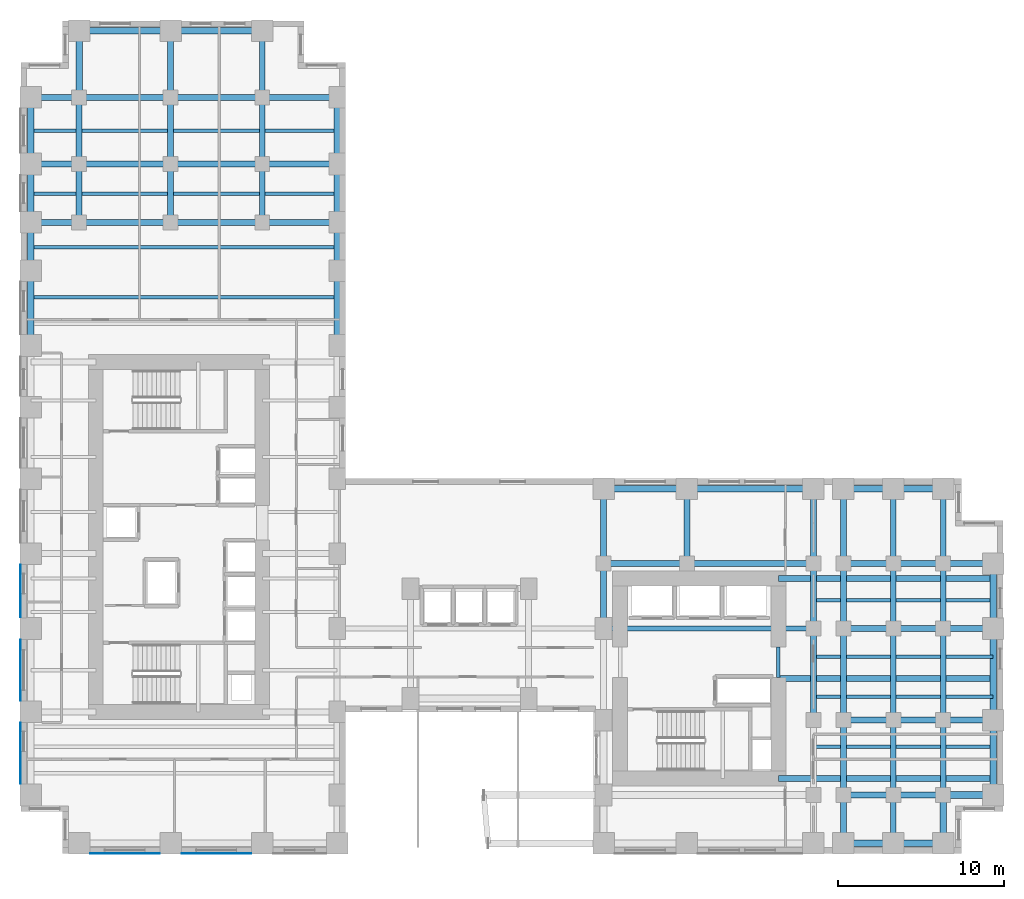
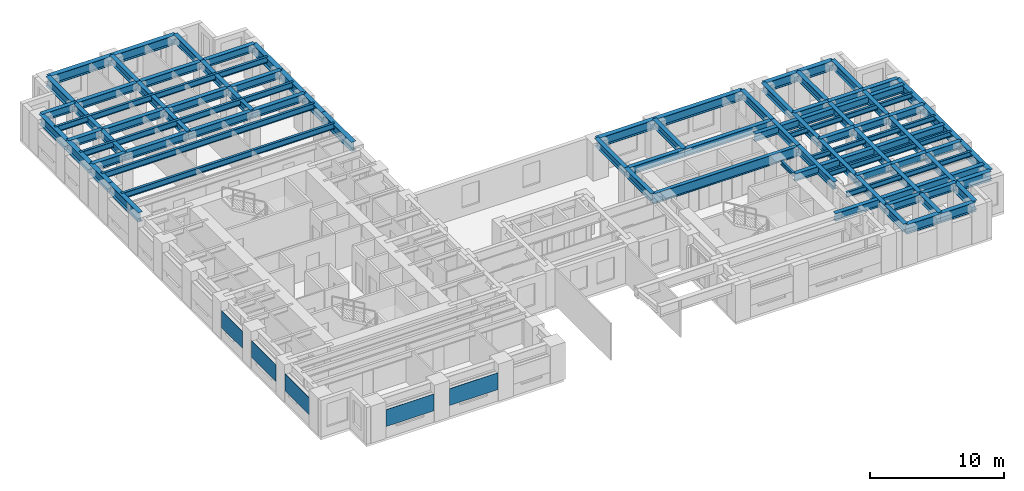
# One storey, part 4 of 14: 88 beams, 5 plates.
"""IFC4 building model written with IfcOpenShell, lengths in metres."""

from ifc_helpers import new_model, si_unit, direction, frame, origin, origin_2d, place, context, subcontext, project, spatial, rectangle, i_section, extrude, source, transform, mapped, material, layer, layer_set, material_profile, profile_set, type_object, element, save


model = new_model("IFC4")

# Units and contexts
model_context = context("Model", 3, precision=1e-05, world=origin(), true_north=direction((0.0, 1.0)))
body_context = subcontext(model_context, "Body", "Model", "MODEL_VIEW")
ifc_project = project(units=[si_unit("LENGTHUNIT", "METRE"), si_unit("AREAUNIT", "SQUARE_METRE"), si_unit("VOLUMEUNIT", "CUBIC_METRE"), si_unit("PLANEANGLEUNIT", "RADIAN"), si_unit("MASSUNIT", "GRAM", prefix="KILO")], contexts=[model_context])

# Site, building, storey
site_placement = place(None, origin())
site = spatial("IfcSite", under=ifc_project, at=site_placement, CompositionType="ELEMENT")
building_placement = place(site_placement, origin())
building = spatial("IfcBuilding", under=site, at=building_placement, Name="Kharzan Plaza Tower", CompositionType="ELEMENT")
storey_placement = place(building_placement, frame((0.0, 0.0, 58.5)))
storey = spatial("IfcBuildingStorey", under=building, at=storey_placement, Name="L15", CompositionType="ELEMENT", Elevation=58.5)

# Beams
ifc_material_1 = material(Name="Steel S355", Category="steel")
ifc_material_profile_1 = material_profile(ifc_material_1, i_section(OverallWidth=0.205078125, OverallDepth=0.35400390625, WebThickness=0.009521484375, FlangeThickness=0.016845703125, at=origin_2d()), Name="W360x79")
ifc_profile_set_1 = profile_set([ifc_material_profile_1], Name="Steel S355")
beam_type_1 = type_object("IfcBeamType", Name="BM-LNT360", PredefinedType="LINTEL", material=ifc_profile_set_1)
shared_shape_1 = source(origin(), body_context, "Body", "SweptSolid", [
    extrude(i_section(OverallWidth=0.205078125, OverallDepth=0.35400390625, WebThickness=0.009521484375, FlangeThickness=0.016845703125, at=origin_2d()), origin(), (0.0, 0.0, 1.0), 1.849853515625),
])
beam_1_placement = place(storey_placement, frame((45.5, 10.550048828125, 3.202880859375), z_axis=(0.0, 1.0, 0.0), x_axis=(-1.0, 0.0, 0.0)))
element("IfcBeam", 1, at=beam_1_placement, inside=storey, type_object=beam_type_1, Name="L15 CORE-B coupling lintel LN1-WE", PredefinedType="LINTEL", context=body_context, shape_type="MappedRepresentation", body=[
    mapped(shared_shape_1, transform((0.0, 0.0, 0.0), x_axis=(1.0, 0.0, 0.0), y_axis=(0.0, 1.0, 0.0), z_axis=(0.0, 0.0, 1.0))),
])
ifc_material_profile_2 = material_profile(ifc_material_1, i_section(OverallWidth=0.304931640625, OverallDepth=0.9189453125, WebThickness=0.017333984375, FlangeThickness=0.02783203125, at=origin_2d()), Name="W920x253")
ifc_profile_set_2 = profile_set([ifc_material_profile_2], Name="Steel S355")
beam_type_2 = type_object("IfcBeamType", Name="BM-FG920B", PredefinedType="BEAM", material=ifc_profile_set_2)
shared_shape_2 = source(origin(), body_context, "Body", "SweptSolid", [
    extrude(i_section(OverallWidth=0.304931640625, OverallDepth=0.9189453125, WebThickness=0.017333984375, FlangeThickness=0.02783203125, at=origin_2d()), origin(), (0.0, 0.0, 1.0), 12.60009765625),
])
beam_2_placement = place(storey_placement, frame((35.0, 13.5, 2.92041015625), z_axis=(1.0, 0.0, 0.0), x_axis=(0.0, 1.0, 0.0)))
element("IfcBeam", 2, at=beam_2_placement, inside=storey, type_object=beam_type_2, Name="L15 Primary Floor Girder", PredefinedType="BEAM", context=body_context, shape_type="MappedRepresentation", body=[
    mapped(shared_shape_2, transform((0.0, 0.0, 0.0), x_axis=(1.0, 0.0, 0.0), y_axis=(0.0, 1.0, 0.0), z_axis=(0.0, 0.0, 1.0))),
])
ifc_material_profile_3 = material_profile(ifc_material_1, i_section(OverallWidth=0.35498046875, OverallDepth=0.695068359375, WebThickness=0.015380859375, FlangeThickness=0.02490234375, at=origin_2d()), Name="W690x217")
ifc_profile_set_3 = profile_set([ifc_material_profile_3], Name="Steel S355")
beam_type_3 = type_object("IfcBeamType", Name="BM-FG690A", PredefinedType="BEAM", material=ifc_profile_set_3)
shared_shape_3 = source(origin(), body_context, "Body", "SweptSolid", [
    extrude(i_section(OverallWidth=0.35498046875, OverallDepth=0.695068359375, WebThickness=0.015380859375, FlangeThickness=0.02490234375, at=origin_2d()), origin(), (0.0, 0.0, 1.0), 4.5),
])
for number, where, z_axis, x_axis, name in (
    (3, (35.0, 17.39990234375, 3.032470703125), (0.0, 1.0, 0.0), (-1.0, 0.0, 0.0), "L15 Interior Frame Girder"),
    (4, (40.0, 17.39990234375, 3.032470703125), (0.0, 1.0, 0.0), (-1.0, 0.0, 0.0), "L15 Interior Frame Girder"),
    (5, (47.60009765625, 17.39990234375, 3.032470703125), (0.0, 1.0, 0.0), (-1.0, 0.0, 0.0), "L15 Interior Frame Girder"),
    (6, (49.39990234375, 3.5, 3.032470703125), (0.0, 1.0, 0.0), (-1.0, 0.0, 0.0), "L15 Interior Frame Girder"),
    (7, (49.39990234375, 17.39990234375, 3.032470703125), (0.0, 1.0, 0.0), (-1.0, 0.0, 0.0), "L15 Interior Frame Girder"),
    (8, (52.39990234375, 3.5, 3.032470703125), (0.0, 1.0, 0.0), (-1.0, 0.0, 0.0), "L15 Interior Frame Girder"),
    (9, (52.39990234375, 17.39990234375, 3.032470703125), (0.0, 1.0, 0.0), (-1.0, 0.0, 0.0), "L15 Interior Frame Girder"),
    (10, (55.39990234375, 3.5, 3.032470703125), (0.0, 1.0, 0.0), (-1.0, 0.0, 0.0), "L15 Interior Frame Girder"),
    (11, (55.39990234375, 17.39990234375, 3.032470703125), (0.0, 1.0, 0.0), (-1.0, 0.0, 0.0), "L15 Interior Frame Girder"),
    (12, (14.5, 41.39990234375, 3.032470703125), (1.0, 0.0, 0.0), (0.0, 1.0, 0.0), "L15 Primary Floor Girder"),
    (13, (14.5, 45.39990234375, 3.032470703125), (1.0, 0.0, 0.0), (0.0, 1.0, 0.0), "L15 Primary Floor Girder"),
    (14, (14.5, 37.89990234375, 3.032470703125), (1.0, 0.0, 0.0), (0.0, 1.0, 0.0), "L15 Primary Floor Girder"),
):
    element("IfcBeam", number, at=place(storey_placement, frame(where, z_axis=z_axis, x_axis=x_axis)), inside=storey, type_object=beam_type_3, Name=name, PredefinedType="BEAM", context=body_context, shape_type="MappedRepresentation", body=[
        mapped(shared_shape_3, transform((0.0, 0.0, 0.0), x_axis=(1.0, 0.0, 0.0), y_axis=(0.0, 1.0, 0.0), z_axis=(0.0, 0.0, 1.0))),
    ])
shared_shape_4 = source(origin(), body_context, "Body", "SweptSolid", [
    extrude(i_section(OverallWidth=0.35498046875, OverallDepth=0.695068359375, WebThickness=0.015380859375, FlangeThickness=0.02490234375, at=origin_2d()), origin(), (0.0, 0.0, 1.0), 3.89990234375),
])
for number, where, z_axis, x_axis, name in (
    (15, (35.0, 13.5, 3.032470703125), (0.0, 1.0, 0.0), (-1.0, 0.0, 0.0), "L15 Interior Frame Girder"),
    (16, (47.60009765625, 13.5, 3.032470703125), (0.0, 1.0, 0.0), (-1.0, 0.0, 0.0), "L15 Interior Frame Girder"),
    (17, (49.39990234375, 13.5, 3.032470703125), (0.0, 1.0, 0.0), (-1.0, 0.0, 0.0), "L15 Interior Frame Girder"),
    (18, (52.39990234375, 13.5, 3.032470703125), (0.0, 1.0, 0.0), (-1.0, 0.0, 0.0), "L15 Interior Frame Girder"),
    (19, (55.39990234375, 13.5, 3.032470703125), (0.0, 1.0, 0.0), (-1.0, 0.0, 0.0), "L15 Interior Frame Girder"),
):
    element("IfcBeam", number, at=place(storey_placement, frame(where, z_axis=z_axis, x_axis=x_axis)), inside=storey, type_object=beam_type_3, Name=name, PredefinedType="BEAM", context=body_context, shape_type="MappedRepresentation", body=[
        mapped(shared_shape_4, transform((0.0, 0.0, 0.0), x_axis=(1.0, 0.0, 0.0), y_axis=(0.0, 1.0, 0.0), z_axis=(0.0, 0.0, 1.0))),
    ])
shared_shape_5 = source(origin(), body_context, "Body", "SweptSolid", [
    extrude(i_section(OverallWidth=0.35498046875, OverallDepth=0.695068359375, WebThickness=0.015380859375, FlangeThickness=0.02490234375, at=origin_2d()), origin(), (0.0, 0.0, 1.0), 12.89990234375),
])
for number, where, z_axis, x_axis, name in (
    (20, (45.5, 4.5, 3.032470703125), (1.0, 0.0, 0.0), (0.0, 1.0, 0.0), "L15 Core-B East Floor Girder 1"),
    (21, (45.5, 10.5, 3.032470703125), (1.0, 0.0, 0.0), (0.0, 1.0, 0.0), "L15 Core-B East Floor Girder 2"),
    (22, (45.5, 16.5, 3.032470703125), (1.0, 0.0, 0.0), (0.0, 1.0, 0.0), "L15 Core-B East Floor Girder 3"),
):
    element("IfcBeam", number, at=place(storey_placement, frame(where, z_axis=z_axis, x_axis=x_axis)), inside=storey, type_object=beam_type_3, Name=name, PredefinedType="BEAM", context=body_context, shape_type="MappedRepresentation", body=[
        mapped(shared_shape_5, transform((0.0, 0.0, 0.0), x_axis=(1.0, 0.0, 0.0), y_axis=(0.0, 1.0, 0.0), z_axis=(0.0, 0.0, 1.0))),
    ])
shared_shape_6 = source(origin(), body_context, "Body", "SweptSolid", [
    extrude(i_section(OverallWidth=0.35498046875, OverallDepth=0.695068359375, WebThickness=0.015380859375, FlangeThickness=0.02490234375, at=origin_2d()), origin(), (0.0, 0.0, 1.0), 3.5),
])
for number, where, z_axis, x_axis, name in (
    (23, (3.5, 37.89990234375, 3.032470703125), (0.0, 1.0, 0.0), (-1.0, 0.0, 0.0), "L15 Interior Frame Girder"),
    (24, (9.0, 37.89990234375, 3.032470703125), (0.0, 1.0, 0.0), (-1.0, 0.0, 0.0), "L15 Interior Frame Girder"),
    (25, (14.5, 37.89990234375, 3.032470703125), (0.0, 1.0, 0.0), (-1.0, 0.0, 0.0), "L15 Interior Frame Girder"),
):
    element("IfcBeam", number, at=place(storey_placement, frame(where, z_axis=z_axis, x_axis=x_axis)), inside=storey, type_object=beam_type_3, Name=name, PredefinedType="BEAM", context=body_context, shape_type="MappedRepresentation", body=[
        mapped(shared_shape_6, transform((0.0, 0.0, 0.0), x_axis=(1.0, 0.0, 0.0), y_axis=(0.0, 1.0, 0.0), z_axis=(0.0, 0.0, 1.0))),
    ])
shared_shape_7 = source(origin(), body_context, "Body", "SweptSolid", [
    extrude(i_section(OverallWidth=0.35498046875, OverallDepth=0.695068359375, WebThickness=0.015380859375, FlangeThickness=0.02490234375, at=origin_2d()), origin(), (0.0, 0.0, 1.0), 4.0),
])
for number, where, z_axis, x_axis, name in (
    (26, (3.5, 41.39990234375, 3.032470703125), (0.0, 1.0, 0.0), (-1.0, 0.0, 0.0), "L15 Interior Frame Girder"),
    (27, (9.0, 41.39990234375, 3.032470703125), (0.0, 1.0, 0.0), (-1.0, 0.0, 0.0), "L15 Interior Frame Girder"),
    (28, (9.0, 45.39990234375, 3.032470703125), (0.0, 1.0, 0.0), (-1.0, 0.0, 0.0), "L15 Interior Frame Girder"),
    (29, (14.5, 41.39990234375, 3.032470703125), (0.0, 1.0, 0.0), (-1.0, 0.0, 0.0), "L15 Interior Frame Girder"),
    (30, (14.5, 45.39990234375, 3.032470703125), (0.0, 1.0, 0.0), (-1.0, 0.0, 0.0), "L15 Interior Frame Girder"),
):
    element("IfcBeam", number, at=place(storey_placement, frame(where, z_axis=z_axis, x_axis=x_axis)), inside=storey, type_object=beam_type_3, Name=name, PredefinedType="BEAM", context=body_context, shape_type="MappedRepresentation", body=[
        mapped(shared_shape_7, transform((0.0, 0.0, 0.0), x_axis=(1.0, 0.0, 0.0), y_axis=(0.0, 1.0, 0.0), z_axis=(0.0, 0.0, 1.0))),
    ])
shared_shape_8 = source(origin(), body_context, "Body", "SweptSolid", [
    extrude(i_section(OverallWidth=0.35498046875, OverallDepth=0.695068359375, WebThickness=0.015380859375, FlangeThickness=0.02490234375, at=origin_2d()), origin(), (0.0, 0.0, 1.0), 5.0),
])
beam_3_placement = place(storey_placement, frame((35.0, 17.39990234375, 3.032470703125), z_axis=(1.0, 0.0, 0.0), x_axis=(0.0, 1.0, 0.0)))
element("IfcBeam", 31, at=beam_3_placement, inside=storey, type_object=beam_type_3, Name="L15 Primary Floor Girder", PredefinedType="BEAM", context=body_context, shape_type="MappedRepresentation", body=[
    mapped(shared_shape_8, transform((0.0, 0.0, 0.0), x_axis=(1.0, 0.0, 0.0), y_axis=(0.0, 1.0, 0.0), z_axis=(0.0, 0.0, 1.0))),
])
shared_shape_9 = source(origin(), body_context, "Body", "SweptSolid", [
    extrude(i_section(OverallWidth=0.35498046875, OverallDepth=0.695068359375, WebThickness=0.015380859375, FlangeThickness=0.02490234375, at=origin_2d()), origin(), (0.0, 0.0, 1.0), 5.5),
])
for number, where, z_axis, x_axis, name in (
    (32, (47.60009765625, 8.0, 3.032470703125), (0.0, 1.0, 0.0), (-1.0, 0.0, 0.0), "L15 Interior Frame Girder"),
    (33, (49.39990234375, 8.0, 3.032470703125), (0.0, 1.0, 0.0), (-1.0, 0.0, 0.0), "L15 Interior Frame Girder"),
    (34, (52.39990234375, 8.0, 3.032470703125), (0.0, 1.0, 0.0), (-1.0, 0.0, 0.0), "L15 Interior Frame Girder"),
    (35, (55.39990234375, 8.0, 3.032470703125), (0.0, 1.0, 0.0), (-1.0, 0.0, 0.0), "L15 Interior Frame Girder"),
    (36, (3.5, 45.39990234375, 3.032470703125), (1.0, 0.0, 0.0), (0.0, 1.0, 0.0), "L15 Primary Floor Girder"),
    (37, (9.0, 45.39990234375, 3.032470703125), (1.0, 0.0, 0.0), (0.0, 1.0, 0.0), "L15 Primary Floor Girder"),
    (38, (3.5, 37.89990234375, 3.032470703125), (1.0, 0.0, 0.0), (0.0, 1.0, 0.0), "L15 Primary Floor Girder"),
    (39, (9.0, 37.89990234375, 3.032470703125), (1.0, 0.0, 0.0), (0.0, 1.0, 0.0), "L15 Primary Floor Girder"),
    (40, (3.5, 41.39990234375, 3.032470703125), (1.0, 0.0, 0.0), (0.0, 1.0, 0.0), "L15 Primary Floor Girder"),
    (41, (9.0, 41.39990234375, 3.032470703125), (1.0, 0.0, 0.0), (0.0, 1.0, 0.0), "L15 Primary Floor Girder"),
):
    element("IfcBeam", number, at=place(storey_placement, frame(where, z_axis=z_axis, x_axis=x_axis)), inside=storey, type_object=beam_type_3, Name=name, PredefinedType="BEAM", context=body_context, shape_type="MappedRepresentation", body=[
        mapped(shared_shape_9, transform((0.0, 0.0, 0.0), x_axis=(1.0, 0.0, 0.0), y_axis=(0.0, 1.0, 0.0), z_axis=(0.0, 0.0, 1.0))),
    ])
shared_shape_10 = source(origin(), body_context, "Body", "SweptSolid", [
    extrude(i_section(OverallWidth=0.35498046875, OverallDepth=0.695068359375, WebThickness=0.015380859375, FlangeThickness=0.02490234375, at=origin_2d()), origin(), (0.0, 0.0, 1.0), 2.89990234375),
])
for number, where, z_axis, x_axis, name in (
    (42, (49.39990234375, 0.60009765625, 3.032470703125), (0.0, 1.0, 0.0), (-1.0, 0.0, 0.0), "L15 Interior Frame Girder"),
    (43, (52.39990234375, 0.60009765625, 3.032470703125), (0.0, 1.0, 0.0), (-1.0, 0.0, 0.0), "L15 Interior Frame Girder"),
    (44, (0.60009765625, 45.39990234375, 3.032470703125), (1.0, 0.0, 0.0), (0.0, 1.0, 0.0), "L15 Primary Floor Girder"),
    (45, (0.60009765625, 37.89990234375, 3.032470703125), (1.0, 0.0, 0.0), (0.0, 1.0, 0.0), "L15 Primary Floor Girder"),
    (46, (0.60009765625, 41.39990234375, 3.032470703125), (1.0, 0.0, 0.0), (0.0, 1.0, 0.0), "L15 Primary Floor Girder"),
):
    element("IfcBeam", number, at=place(storey_placement, frame(where, z_axis=z_axis, x_axis=x_axis)), inside=storey, type_object=beam_type_3, Name=name, PredefinedType="BEAM", context=body_context, shape_type="MappedRepresentation", body=[
        mapped(shared_shape_10, transform((0.0, 0.0, 0.0), x_axis=(1.0, 0.0, 0.0), y_axis=(0.0, 1.0, 0.0), z_axis=(0.0, 0.0, 1.0))),
    ])
shared_shape_11 = source(origin(), body_context, "Body", "SweptSolid", [
    extrude(i_section(OverallWidth=0.35498046875, OverallDepth=0.695068359375, WebThickness=0.015380859375, FlangeThickness=0.02490234375, at=origin_2d()), origin(), (0.0, 0.0, 1.0), 3.0),
])
for number, where, z_axis, x_axis, name in (
    (47, (49.39990234375, 3.5, 3.032470703125), (1.0, 0.0, 0.0), (0.0, 1.0, 0.0), "L15 Primary Floor Girder"),
    (48, (52.39990234375, 3.5, 3.032470703125), (1.0, 0.0, 0.0), (0.0, 1.0, 0.0), "L15 Primary Floor Girder"),
    (49, (49.39990234375, 8.0, 3.032470703125), (1.0, 0.0, 0.0), (0.0, 1.0, 0.0), "L15 Primary Floor Girder"),
    (50, (52.39990234375, 8.0, 3.032470703125), (1.0, 0.0, 0.0), (0.0, 1.0, 0.0), "L15 Primary Floor Girder"),
    (51, (55.39990234375, 8.0, 3.032470703125), (1.0, 0.0, 0.0), (0.0, 1.0, 0.0), "L15 Primary Floor Girder"),
    (52, (49.39990234375, 13.5, 3.032470703125), (1.0, 0.0, 0.0), (0.0, 1.0, 0.0), "L15 Primary Floor Girder"),
    (53, (52.39990234375, 13.5, 3.032470703125), (1.0, 0.0, 0.0), (0.0, 1.0, 0.0), "L15 Primary Floor Girder"),
    (54, (55.39990234375, 13.5, 3.032470703125), (1.0, 0.0, 0.0), (0.0, 1.0, 0.0), "L15 Primary Floor Girder"),
    (55, (49.39990234375, 17.39990234375, 3.032470703125), (1.0, 0.0, 0.0), (0.0, 1.0, 0.0), "L15 Primary Floor Girder"),
    (56, (52.39990234375, 17.39990234375, 3.032470703125), (1.0, 0.0, 0.0), (0.0, 1.0, 0.0), "L15 Primary Floor Girder"),
    (57, (55.39990234375, 17.39990234375, 3.032470703125), (1.0, 0.0, 0.0), (0.0, 1.0, 0.0), "L15 Primary Floor Girder"),
):
    element("IfcBeam", number, at=place(storey_placement, frame(where, z_axis=z_axis, x_axis=x_axis)), inside=storey, type_object=beam_type_3, Name=name, PredefinedType="BEAM", context=body_context, shape_type="MappedRepresentation", body=[
        mapped(shared_shape_11, transform((0.0, 0.0, 0.0), x_axis=(1.0, 0.0, 0.0), y_axis=(0.0, 1.0, 0.0), z_axis=(0.0, 0.0, 1.0))),
    ])
shared_shape_12 = source(origin(), body_context, "Body", "SweptSolid", [
    extrude(i_section(OverallWidth=0.35498046875, OverallDepth=0.695068359375, WebThickness=0.015380859375, FlangeThickness=0.02490234375, at=origin_2d()), origin(), (0.0, 0.0, 1.0), 7.60009765625),
])
beam_4_placement = place(storey_placement, frame((40.0, 17.39990234375, 3.032470703125), z_axis=(1.0, 0.0, 0.0), x_axis=(0.0, 1.0, 0.0)))
element("IfcBeam", 58, at=beam_4_placement, inside=storey, type_object=beam_type_3, Name="L15 Primary Floor Girder", PredefinedType="BEAM", context=body_context, shape_type="MappedRepresentation", body=[
    mapped(shared_shape_12, transform((0.0, 0.0, 0.0), x_axis=(1.0, 0.0, 0.0), y_axis=(0.0, 1.0, 0.0), z_axis=(0.0, 0.0, 1.0))),
])
ifc_material_profile_4 = material_profile(ifc_material_1, i_section(OverallWidth=0.2099609375, OverallDepth=0.537109375, WebThickness=0.010986328125, FlangeThickness=0.017333984375, at=origin_2d()), Name="W530x101")
ifc_profile_set_4 = profile_set([ifc_material_profile_4], Name="Steel S355")
beam_type_4 = type_object("IfcBeamType", Name="BM-JST530B", PredefinedType="JOIST", material=ifc_profile_set_4)
shared_shape_13 = source(origin(), body_context, "Body", "SweptSolid", [
    extrude(i_section(OverallWidth=0.2099609375, OverallDepth=0.537109375, WebThickness=0.010986328125, FlangeThickness=0.017333984375, at=origin_2d()), origin(), (0.0, 0.0, 1.0), 18.39990234375),
])
for number, where, z_axis, x_axis, name in (
    (59, (0.60009765625, 33.39990234375, 3.111572265625), (1.0, 0.0, 0.0), (0.0, 1.0, 0.0), "L15 Wing A Composite Joist 05"),
    (60, (0.60009765625, 36.39990234375, 3.111572265625), (1.0, 0.0, 0.0), (0.0, 1.0, 0.0), "L15 Wing A Composite Joist 06"),
    (61, (0.60009765625, 39.60009765625, 3.111572265625), (1.0, 0.0, 0.0), (0.0, 1.0, 0.0), "L15 Wing A Composite Joist 07"),
    (62, (0.60009765625, 43.39990234375, 3.111572265625), (1.0, 0.0, 0.0), (0.0, 1.0, 0.0), "L15 Wing A Composite Joist 08"),
):
    element("IfcBeam", number, at=place(storey_placement, frame(where, z_axis=z_axis, x_axis=x_axis)), inside=storey, type_object=beam_type_4, Name=name, PredefinedType="JOIST", context=body_context, shape_type="MappedRepresentation", body=[
        mapped(shared_shape_13, transform((0.0, 0.0, 0.0), x_axis=(1.0, 0.0, 0.0), y_axis=(0.0, 1.0, 0.0), z_axis=(0.0, 0.0, 1.0))),
    ])
ifc_material_profile_5 = material_profile(ifc_material_1, i_section(OverallWidth=0.194091796875, OverallDepth=0.468994140625, WebThickness=0.011474609375, FlangeThickness=0.0205078125, at=origin_2d()), Name="W460x106")
ifc_profile_set_5 = profile_set([ifc_material_profile_5], Name="Steel S355")
beam_type_5 = type_object("IfcBeamType", Name="BM-JST460", PredefinedType="JOIST", material=ifc_profile_set_5)
shared_shape_14 = source(origin(), body_context, "Body", "SweptSolid", [
    extrude(i_section(OverallWidth=0.194091796875, OverallDepth=0.468994140625, WebThickness=0.011474609375, FlangeThickness=0.0205078125, at=origin_2d()), origin(), (0.0, 0.0, 1.0), 10.7998046875),
])
for number, where, z_axis, x_axis, name in (
    (63, (47.60009765625, 6.39990234375, 3.1455078125), (1.0, 0.0, 0.0), (0.0, 1.0, 0.0), "L15 Wing B Composite Joist 02"),
    (64, (47.60009765625, 9.39990234375, 3.1455078125), (1.0, 0.0, 0.0), (0.0, 1.0, 0.0), "L15 Wing B Composite Joist 03"),
    (65, (47.60009765625, 11.800048828125, 3.1455078125), (1.0, 0.0, 0.0), (0.0, 1.0, 0.0), "L15 Wing B Composite Joist 04"),
    (66, (47.60009765625, 15.199951171875, 3.1455078125), (1.0, 0.0, 0.0), (0.0, 1.0, 0.0), "L15 Wing B Composite Joist 05"),
):
    element("IfcBeam", number, at=place(storey_placement, frame(where, z_axis=z_axis, x_axis=x_axis)), inside=storey, type_object=beam_type_5, Name=name, PredefinedType="JOIST", context=body_context, shape_type="MappedRepresentation", body=[
        mapped(shared_shape_14, transform((0.0, 0.0, 0.0), x_axis=(1.0, 0.0, 0.0), y_axis=(0.0, 1.0, 0.0), z_axis=(0.0, 0.0, 1.0))),
    ])
ifc_material_profile_6 = material_profile(ifc_material_1, i_section(OverallWidth=0.40087890625, OverallDepth=0.85498046875, WebThickness=0.018310546875, FlangeThickness=0.029296875, at=origin_2d()), Name="W840x299")
ifc_profile_set_6 = profile_set([ifc_material_profile_6], Name="Steel S355")
beam_type_6 = type_object("IfcBeamType", Name="BM-SP840A", PredefinedType="SPANDREL", material=ifc_profile_set_6)
shared_shape_15 = source(origin(), body_context, "Body", "SweptSolid", [
    extrude(i_section(OverallWidth=0.40087890625, OverallDepth=0.85498046875, WebThickness=0.018310546875, FlangeThickness=0.029296875, at=origin_2d()), origin(), (0.0, 0.0, 1.0), 5.0),
])
beam_5_placement = place(storey_placement, frame((35.0, 21.89990234375, 2.952392578125), z_axis=(1.0, 0.0, 0.0), x_axis=(0.0, 1.0, 0.0)))
element("IfcBeam", 67, at=beam_5_placement, inside=storey, type_object=beam_type_6, Name="L15 Perimeter Tube Spandrel", PredefinedType="SPANDREL", context=body_context, shape_type="MappedRepresentation", body=[
    mapped(shared_shape_15, transform((0.0, 0.0, 0.0), x_axis=(1.0, 0.0, 0.0), y_axis=(0.0, 1.0, 0.0), z_axis=(0.0, 0.0, 1.0))),
])
shared_shape_16 = source(origin(), body_context, "Body", "SweptSolid", [
    extrude(i_section(OverallWidth=0.40087890625, OverallDepth=0.85498046875, WebThickness=0.018310546875, FlangeThickness=0.029296875, at=origin_2d()), origin(), (0.0, 0.0, 1.0), 4.5),
])
for number, where, z_axis, x_axis, name in (
    (68, (0.60009765625, 30.5, 2.952392578125), (0.0, 1.0, 0.0), (-1.0, 0.0, 0.0), "L15 Perimeter Tube Spandrel"),
    (69, (19.0, 30.5, 2.952392578125), (0.0, 1.0, 0.0), (-1.0, 0.0, 0.0), "L15 Perimeter Tube Spandrel"),
    (70, (58.39990234375, 3.5, 2.952392578125), (0.0, 1.0, 0.0), (-1.0, 0.0, 0.0), "L15 Perimeter Tube Spandrel"),
):
    element("IfcBeam", number, at=place(storey_placement, frame(where, z_axis=z_axis, x_axis=x_axis)), inside=storey, type_object=beam_type_6, Name=name, PredefinedType="SPANDREL", context=body_context, shape_type="MappedRepresentation", body=[
        mapped(shared_shape_16, transform((0.0, 0.0, 0.0), x_axis=(1.0, 0.0, 0.0), y_axis=(0.0, 1.0, 0.0), z_axis=(0.0, 0.0, 1.0))),
    ])
shared_shape_17 = source(origin(), body_context, "Body", "SweptSolid", [
    extrude(i_section(OverallWidth=0.40087890625, OverallDepth=0.85498046875, WebThickness=0.018310546875, FlangeThickness=0.029296875, at=origin_2d()), origin(), (0.0, 0.0, 1.0), 2.89990234375),
])
for number, where, z_axis, x_axis, name in (
    (71, (0.60009765625, 35.0, 2.952392578125), (0.0, 1.0, 0.0), (-1.0, 0.0, 0.0), "L15 Perimeter Tube Spandrel"),
    (72, (19.0, 35.0, 2.952392578125), (0.0, 1.0, 0.0), (-1.0, 0.0, 0.0), "L15 Perimeter Tube Spandrel"),
    (73, (55.39990234375, 0.60009765625, 2.952392578125), (0.0, 1.0, 0.0), (-1.0, 0.0, 0.0), "L15 Perimeter Tube Spandrel"),
):
    element("IfcBeam", number, at=place(storey_placement, frame(where, z_axis=z_axis, x_axis=x_axis)), inside=storey, type_object=beam_type_6, Name=name, PredefinedType="SPANDREL", context=body_context, shape_type="MappedRepresentation", body=[
        mapped(shared_shape_17, transform((0.0, 0.0, 0.0), x_axis=(1.0, 0.0, 0.0), y_axis=(0.0, 1.0, 0.0), z_axis=(0.0, 0.0, 1.0))),
    ])
shared_shape_18 = source(origin(), body_context, "Body", "SweptSolid", [
    extrude(i_section(OverallWidth=0.40087890625, OverallDepth=0.85498046875, WebThickness=0.018310546875, FlangeThickness=0.029296875, at=origin_2d()), origin(), (0.0, 0.0, 1.0), 3.5),
])
for number, where, z_axis, x_axis, name in (
    (74, (0.60009765625, 37.89990234375, 2.952392578125), (0.0, 1.0, 0.0), (-1.0, 0.0, 0.0), "L15 Perimeter Tube Spandrel"),
    (75, (19.0, 37.89990234375, 2.952392578125), (0.0, 1.0, 0.0), (-1.0, 0.0, 0.0), "L15 Perimeter Tube Spandrel"),
):
    element("IfcBeam", number, at=place(storey_placement, frame(where, z_axis=z_axis, x_axis=x_axis)), inside=storey, type_object=beam_type_6, Name=name, PredefinedType="SPANDREL", context=body_context, shape_type="MappedRepresentation", body=[
        mapped(shared_shape_18, transform((0.0, 0.0, 0.0), x_axis=(1.0, 0.0, 0.0), y_axis=(0.0, 1.0, 0.0), z_axis=(0.0, 0.0, 1.0))),
    ])
shared_shape_19 = source(origin(), body_context, "Body", "SweptSolid", [
    extrude(i_section(OverallWidth=0.40087890625, OverallDepth=0.85498046875, WebThickness=0.018310546875, FlangeThickness=0.029296875, at=origin_2d()), origin(), (0.0, 0.0, 1.0), 4.0),
])
for number, where, z_axis, x_axis, name in (
    (76, (0.60009765625, 41.39990234375, 2.952392578125), (0.0, 1.0, 0.0), (-1.0, 0.0, 0.0), "L15 Perimeter Tube Spandrel"),
    (77, (3.5, 45.39990234375, 2.952392578125), (0.0, 1.0, 0.0), (-1.0, 0.0, 0.0), "L15 Perimeter Tube Spandrel"),
    (78, (19.0, 41.39990234375, 2.952392578125), (0.0, 1.0, 0.0), (-1.0, 0.0, 0.0), "L15 Perimeter Tube Spandrel"),
):
    element("IfcBeam", number, at=place(storey_placement, frame(where, z_axis=z_axis, x_axis=x_axis)), inside=storey, type_object=beam_type_6, Name=name, PredefinedType="SPANDREL", context=body_context, shape_type="MappedRepresentation", body=[
        mapped(shared_shape_19, transform((0.0, 0.0, 0.0), x_axis=(1.0, 0.0, 0.0), y_axis=(0.0, 1.0, 0.0), z_axis=(0.0, 0.0, 1.0))),
    ])
shared_shape_20 = source(origin(), body_context, "Body", "SweptSolid", [
    extrude(i_section(OverallWidth=0.40087890625, OverallDepth=0.85498046875, WebThickness=0.018310546875, FlangeThickness=0.029296875, at=origin_2d()), origin(), (0.0, 0.0, 1.0), 5.5),
])
for number, where, z_axis, x_axis, name in (
    (79, (58.39990234375, 8.0, 2.952392578125), (0.0, 1.0, 0.0), (-1.0, 0.0, 0.0), "L15 Perimeter Tube Spandrel"),
    (80, (3.5, 49.39990234375, 2.952392578125), (1.0, 0.0, 0.0), (0.0, 1.0, 0.0), "L15 Perimeter Tube Spandrel"),
    (81, (9.0, 49.39990234375, 2.952392578125), (1.0, 0.0, 0.0), (0.0, 1.0, 0.0), "L15 Perimeter Tube Spandrel"),
):
    element("IfcBeam", number, at=place(storey_placement, frame(where, z_axis=z_axis, x_axis=x_axis)), inside=storey, type_object=beam_type_6, Name=name, PredefinedType="SPANDREL", context=body_context, shape_type="MappedRepresentation", body=[
        mapped(shared_shape_20, transform((0.0, 0.0, 0.0), x_axis=(1.0, 0.0, 0.0), y_axis=(0.0, 1.0, 0.0), z_axis=(0.0, 0.0, 1.0))),
    ])
shared_shape_21 = source(origin(), body_context, "Body", "SweptSolid", [
    extrude(i_section(OverallWidth=0.40087890625, OverallDepth=0.85498046875, WebThickness=0.018310546875, FlangeThickness=0.029296875, at=origin_2d()), origin(), (0.0, 0.0, 1.0), 3.89990234375),
])
beam_6_placement = place(storey_placement, frame((58.39990234375, 13.5, 2.952392578125), z_axis=(0.0, 1.0, 0.0), x_axis=(-1.0, 0.0, 0.0)))
element("IfcBeam", 82, at=beam_6_placement, inside=storey, type_object=beam_type_6, Name="L15 Perimeter Tube Spandrel", PredefinedType="SPANDREL", context=body_context, shape_type="MappedRepresentation", body=[
    mapped(shared_shape_21, transform((0.0, 0.0, 0.0), x_axis=(1.0, 0.0, 0.0), y_axis=(0.0, 1.0, 0.0), z_axis=(0.0, 0.0, 1.0))),
])
shared_shape_22 = source(origin(), body_context, "Body", "SweptSolid", [
    extrude(i_section(OverallWidth=0.40087890625, OverallDepth=0.85498046875, WebThickness=0.018310546875, FlangeThickness=0.029296875, at=origin_2d()), origin(), (0.0, 0.0, 1.0), 7.60009765625),
])
beam_7_placement = place(storey_placement, frame((40.0, 21.89990234375, 2.952392578125), z_axis=(1.0, 0.0, 0.0), x_axis=(0.0, 1.0, 0.0)))
element("IfcBeam", 83, at=beam_7_placement, inside=storey, type_object=beam_type_6, Name="L15 Perimeter Tube Spandrel", PredefinedType="SPANDREL", context=body_context, shape_type="MappedRepresentation", body=[
    mapped(shared_shape_22, transform((0.0, 0.0, 0.0), x_axis=(1.0, 0.0, 0.0), y_axis=(0.0, 1.0, 0.0), z_axis=(0.0, 0.0, 1.0))),
])
shared_shape_23 = source(origin(), body_context, "Body", "SweptSolid", [
    extrude(i_section(OverallWidth=0.40087890625, OverallDepth=0.85498046875, WebThickness=0.018310546875, FlangeThickness=0.029296875, at=origin_2d()), origin(), (0.0, 0.0, 1.0), 3.0),
])
for number, where, z_axis, x_axis, name in (
    (84, (49.39990234375, 0.60009765625, 2.952392578125), (1.0, 0.0, 0.0), (0.0, 1.0, 0.0), "L15 Perimeter Tube Spandrel"),
    (85, (52.39990234375, 0.60009765625, 2.952392578125), (1.0, 0.0, 0.0), (0.0, 1.0, 0.0), "L15 Perimeter Tube Spandrel"),
    (86, (55.39990234375, 3.5, 2.952392578125), (1.0, 0.0, 0.0), (0.0, 1.0, 0.0), "L15 Perimeter Tube Spandrel"),
    (87, (49.39990234375, 21.89990234375, 2.952392578125), (1.0, 0.0, 0.0), (0.0, 1.0, 0.0), "L15 Perimeter Tube Spandrel"),
    (88, (52.39990234375, 21.89990234375, 2.952392578125), (1.0, 0.0, 0.0), (0.0, 1.0, 0.0), "L15 Perimeter Tube Spandrel"),
):
    element("IfcBeam", number, at=place(storey_placement, frame(where, z_axis=z_axis, x_axis=x_axis)), inside=storey, type_object=beam_type_6, Name=name, PredefinedType="SPANDREL", context=body_context, shape_type="MappedRepresentation", body=[
        mapped(shared_shape_23, transform((0.0, 0.0, 0.0), x_axis=(1.0, 0.0, 0.0), y_axis=(0.0, 1.0, 0.0), z_axis=(0.0, 0.0, 1.0))),
    ])

# Plates
ifc_material_2 = material(Name="Perforated Bronze-Anodized Aluminium", Category="aluminium")
ifc_layer = layer(ifc_material_2, 0.030029296875)
ifc_layer_set = layer_set([ifc_layer], Name="Perforated Bronze-Anodized Aluminium")
plate_type = type_object("IfcPlateType", Name="PLT-MASH-SCREEN", PredefinedType="SHEET", material=ifc_layer_set)
shared_shape_24 = source(origin(), body_context, "Body", "SweptSolid", [
    extrude(rectangle(XDim=3.1640625, YDim=0.030029296875, at=origin_2d()), origin(), (0.0, 0.0, 1.0), 1.530029296875),
])
plate_placement = place(storey_placement, frame((-0.012939453125, 15.75, 1.06494140625), z_axis=(0.0, 0.0, 1.0), x_axis=(0.0, -1.0, 0.0)))
element("IfcPlate", 89, at=plate_placement, inside=storey, type_object=plate_type, Name="L15 Perforated Mashrabiya Solar Screen", PredefinedType="SHEET", context=body_context, shape_type="MappedRepresentation", body=[
    mapped(shared_shape_24, transform((0.0, 0.0, 0.0), x_axis=(1.0, 0.0, 0.0), y_axis=(0.0, 1.0, 0.0), z_axis=(0.0, 0.0, 1.0))),
])
shared_shape_25 = source(origin(), body_context, "Body", "SweptSolid", [
    extrude(rectangle(XDim=3.6640625, YDim=0.030029296875, at=origin_2d()), origin(), (0.0, 0.0, 1.0), 1.530029296875),
])
for number, where, z_axis, x_axis, name in (
    (90, (-0.012939453125, 11.0, 1.06494140625), (0.0, 0.0, 1.0), (0.0, -1.0, 0.0), "L15 Perforated Mashrabiya Solar Screen"),
    (91, (-0.012939453125, 6.0, 1.06494140625), (0.0, 0.0, 1.0), (0.0, -1.0, 0.0), "L15 Perforated Mashrabiya Solar Screen"),
):
    element("IfcPlate", number, at=place(storey_placement, frame(where, z_axis=z_axis, x_axis=x_axis)), inside=storey, type_object=plate_type, Name=name, PredefinedType="SHEET", context=body_context, shape_type="MappedRepresentation", body=[
        mapped(shared_shape_25, transform((0.0, 0.0, 0.0), x_axis=(1.0, 0.0, 0.0), y_axis=(0.0, 1.0, 0.0), z_axis=(0.0, 0.0, 1.0))),
    ])
shared_shape_26 = source(origin(), body_context, "Body", "SweptSolid", [
    extrude(rectangle(XDim=4.1640625, YDim=0.030029296875, at=origin_2d()), origin(), (0.0, 0.0, 1.0), 1.530029296875),
])
for number, where, z_axis, x_axis, name in (
    (92, (6.25, -0.012939453125, 1.06494140625), (0.0, 0.0, 1.0), (1.0, 0.0, 0.0), "L15 Perforated Mashrabiya Solar Screen"),
    (93, (11.75, -0.012939453125, 1.06494140625), (0.0, 0.0, 1.0), (1.0, 0.0, 0.0), "L15 Perforated Mashrabiya Solar Screen"),
):
    element("IfcPlate", number, at=place(storey_placement, frame(where, z_axis=z_axis, x_axis=x_axis)), inside=storey, type_object=plate_type, Name=name, PredefinedType="SHEET", context=body_context, shape_type="MappedRepresentation", body=[
        mapped(shared_shape_26, transform((0.0, 0.0, 0.0), x_axis=(1.0, 0.0, 0.0), y_axis=(0.0, 1.0, 0.0), z_axis=(0.0, 0.0, 1.0))),
    ])

save(model, "model.ifc")
